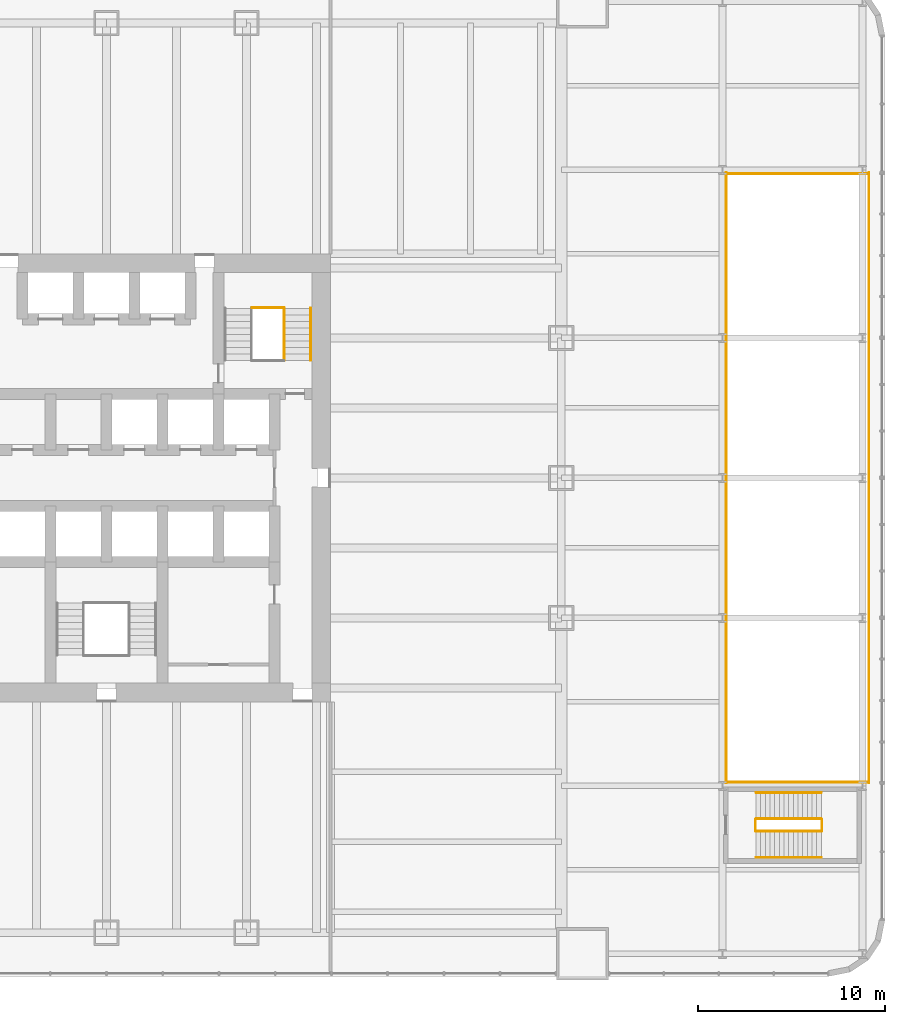
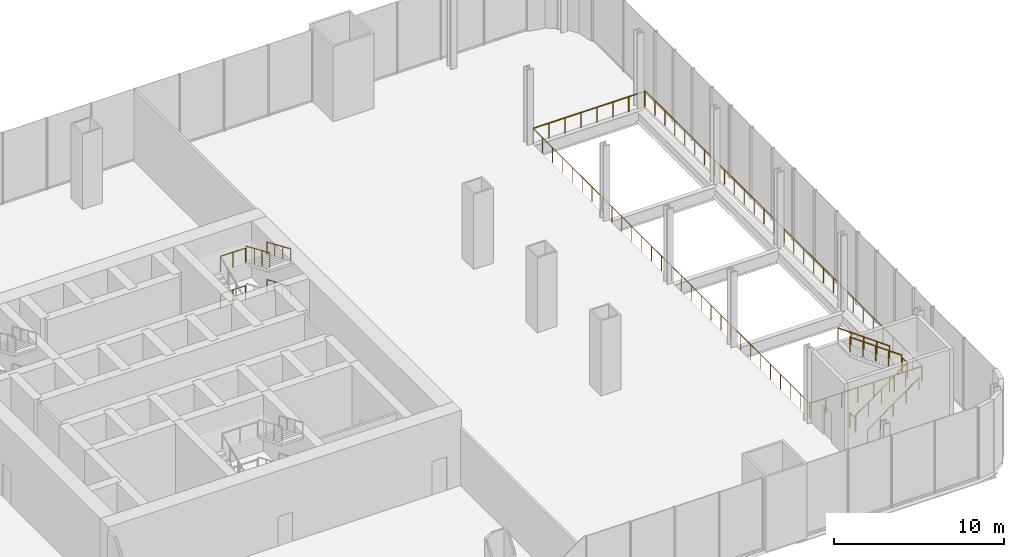
# One storey, part 16 of 16: 15 railings.
"""IFC4 building model written with IfcOpenShell, lengths in metres."""

from ifc_helpers import new_model, si_unit, direction, frame, origin, origin_2d, place, context, subcontext, project, spatial, circle, extrude, material, type_object, element, save


model = new_model("IFC4")

# Units and contexts
model_context = context("Model", 3, precision=1e-05, world=origin(), true_north=direction((0.0, 1.0)))
body_context = subcontext(model_context, "Body", "Model", "MODEL_VIEW")
ifc_project = project(units=[si_unit("LENGTHUNIT", "METRE"), si_unit("AREAUNIT", "SQUARE_METRE"), si_unit("VOLUMEUNIT", "CUBIC_METRE"), si_unit("PLANEANGLEUNIT", "RADIAN"), si_unit("MASSUNIT", "GRAM", prefix="KILO")], contexts=[model_context])

# Site, building, storey
site_placement = place(None, origin())
site = spatial("IfcSite", under=ifc_project, at=site_placement, CompositionType="ELEMENT")
building_placement = place(site_placement, origin())
building = spatial("IfcBuilding", under=site, at=building_placement, Name="Tarangal Relay Tower", CompositionType="ELEMENT")
storey_placement = place(building_placement, frame((0.0, 0.0, 7.199951171875)))
storey = spatial("IfcBuildingStorey", under=building, at=storey_placement, Name="L01", CompositionType="ELEMENT", Elevation=7.199951171875)

# Railings
ifc_material_1 = material(Name="Black steel guard with glass infill", Category="steel")
railing_type_1 = type_object("IfcRailingType", Name="Atrium guard 1100", PredefinedType="GUARDRAIL", material=ifc_material_1)
railing_1_placement = place(storey_placement, frame((40.85009765625, -16.35009765625, 0.0)))
element("IfcRailing", 1, at=railing_1_placement, inside=storey, type_object=railing_type_1, Name="Atrium guard GR3 L01", PredefinedType="GUARDRAIL", context=body_context, shape_type="SweptSolid", body=[
    extrude(circle(Radius=0.02392578125, at=origin_2d()), frame((0.0, 0.0, 1.076171875), z_axis=(0.0, 1.0, 0.0), x_axis=(-1.0, 0.0, 0.0)), (0.0, 0.0, 1.0), 32.7001953125),
    extrude(circle(Radius=0.02099609375, at=origin_2d()), origin(), (0.0, 0.0, 1.0), 1.052001953125),
    extrude(circle(Radius=0.02099609375, at=origin_2d()), frame((0.0, 1.16796875, 0.0)), (0.0, 0.0, 1.0), 1.052001953125),
    extrude(circle(Radius=0.02099609375, at=origin_2d()), frame((0.0, 2.335693359375, 0.0)), (0.0, 0.0, 1.0), 1.052001953125),
    extrude(circle(Radius=0.02099609375, at=origin_2d()), frame((0.0, 3.503662109375, 0.0)), (0.0, 0.0, 1.0), 1.052001953125),
    extrude(circle(Radius=0.02099609375, at=origin_2d()), frame((0.0, 4.67138671875, 0.0)), (0.0, 0.0, 1.0), 1.052001953125),
    extrude(circle(Radius=0.02099609375, at=origin_2d()), frame((0.0, 5.83935546875, 0.0)), (0.0, 0.0, 1.0), 1.052001953125),
    extrude(circle(Radius=0.02099609375, at=origin_2d()), frame((0.0, 7.007080078125, 0.0)), (0.0, 0.0, 1.0), 1.052001953125),
    extrude(circle(Radius=0.02099609375, at=origin_2d()), frame((0.0, 8.175048828125, 0.0)), (0.0, 0.0, 1.0), 1.052001953125),
    extrude(circle(Radius=0.02099609375, at=origin_2d()), frame((0.0, 9.343017578125, 0.0)), (0.0, 0.0, 1.0), 1.052001953125),
    extrude(circle(Radius=0.02099609375, at=origin_2d()), frame((0.0, 10.5107421875, 0.0)), (0.0, 0.0, 1.0), 1.052001953125),
    extrude(circle(Radius=0.02099609375, at=origin_2d()), frame((0.0, 11.6787109375, 0.0)), (0.0, 0.0, 1.0), 1.052001953125),
    extrude(circle(Radius=0.02099609375, at=origin_2d()), frame((0.0, 12.846435546875, 0.0)), (0.0, 0.0, 1.0), 1.052001953125),
    extrude(circle(Radius=0.02099609375, at=origin_2d()), frame((0.0, 14.014404296875, 0.0)), (0.0, 0.0, 1.0), 1.052001953125),
    extrude(circle(Radius=0.02099609375, at=origin_2d()), frame((0.0, 15.18212890625, 0.0)), (0.0, 0.0, 1.0), 1.052001953125),
    extrude(circle(Radius=0.02099609375, at=origin_2d()), frame((0.0, 16.35009765625, 0.0)), (0.0, 0.0, 1.0), 1.052001953125),
    extrude(circle(Radius=0.02099609375, at=origin_2d()), frame((0.0, 17.51806640625, 0.0)), (0.0, 0.0, 1.0), 1.052001953125),
    extrude(circle(Radius=0.02099609375, at=origin_2d()), frame((0.0, 18.685791015625, 0.0)), (0.0, 0.0, 1.0), 1.052001953125),
    extrude(circle(Radius=0.02099609375, at=origin_2d()), frame((0.0, 19.853759765625, 0.0)), (0.0, 0.0, 1.0), 1.052001953125),
    extrude(circle(Radius=0.02099609375, at=origin_2d()), frame((0.0, 21.021484375, 0.0)), (0.0, 0.0, 1.0), 1.052001953125),
    extrude(circle(Radius=0.02099609375, at=origin_2d()), frame((0.0, 22.189453125, 0.0)), (0.0, 0.0, 1.0), 1.052001953125),
    extrude(circle(Radius=0.02099609375, at=origin_2d()), frame((0.0, 23.357177734375, 0.0)), (0.0, 0.0, 1.0), 1.052001953125),
    extrude(circle(Radius=0.02099609375, at=origin_2d()), frame((0.0, 24.525146484375, 0.0)), (0.0, 0.0, 1.0), 1.052001953125),
    extrude(circle(Radius=0.02099609375, at=origin_2d()), frame((0.0, 25.693115234375, 0.0)), (0.0, 0.0, 1.0), 1.052001953125),
    extrude(circle(Radius=0.02099609375, at=origin_2d()), frame((0.0, 26.86083984375, 0.0)), (0.0, 0.0, 1.0), 1.052001953125),
    extrude(circle(Radius=0.02099609375, at=origin_2d()), frame((0.0, 28.02880859375, 0.0)), (0.0, 0.0, 1.0), 1.052001953125),
    extrude(circle(Radius=0.02099609375, at=origin_2d()), frame((0.0, 29.196533203125, 0.0)), (0.0, 0.0, 1.0), 1.052001953125),
    extrude(circle(Radius=0.02099609375, at=origin_2d()), frame((0.0, 30.364501953125, 0.0)), (0.0, 0.0, 1.0), 1.052001953125),
    extrude(circle(Radius=0.02099609375, at=origin_2d()), frame((0.0, 31.5322265625, 0.0)), (0.0, 0.0, 1.0), 1.052001953125),
    extrude(circle(Radius=0.02099609375, at=origin_2d()), frame((0.0, 32.7001953125, 0.0)), (0.0, 0.0, 1.0), 1.052001953125),
])
railing_2_placement = place(storey_placement, frame((33.199951171875, -16.35009765625, 0.0)))
element("IfcRailing", 2, at=railing_2_placement, inside=storey, type_object=railing_type_1, Name="Atrium guard GR3 L01", PredefinedType="GUARDRAIL", context=body_context, shape_type="SweptSolid", body=[
    extrude(circle(Radius=0.02392578125, at=origin_2d()), frame((0.0, 0.0, 1.076171875), z_axis=(0.0, 1.0, 0.0), x_axis=(-1.0, 0.0, 0.0)), (0.0, 0.0, 1.0), 32.7001953125),
    extrude(circle(Radius=0.02099609375, at=origin_2d()), origin(), (0.0, 0.0, 1.0), 1.052001953125),
    extrude(circle(Radius=0.02099609375, at=origin_2d()), frame((0.0, 1.16796875, 0.0)), (0.0, 0.0, 1.0), 1.052001953125),
    extrude(circle(Radius=0.02099609375, at=origin_2d()), frame((0.0, 2.335693359375, 0.0)), (0.0, 0.0, 1.0), 1.052001953125),
    extrude(circle(Radius=0.02099609375, at=origin_2d()), frame((0.0, 3.503662109375, 0.0)), (0.0, 0.0, 1.0), 1.052001953125),
    extrude(circle(Radius=0.02099609375, at=origin_2d()), frame((0.0, 4.67138671875, 0.0)), (0.0, 0.0, 1.0), 1.052001953125),
    extrude(circle(Radius=0.02099609375, at=origin_2d()), frame((0.0, 5.83935546875, 0.0)), (0.0, 0.0, 1.0), 1.052001953125),
    extrude(circle(Radius=0.02099609375, at=origin_2d()), frame((0.0, 7.007080078125, 0.0)), (0.0, 0.0, 1.0), 1.052001953125),
    extrude(circle(Radius=0.02099609375, at=origin_2d()), frame((0.0, 8.175048828125, 0.0)), (0.0, 0.0, 1.0), 1.052001953125),
    extrude(circle(Radius=0.02099609375, at=origin_2d()), frame((0.0, 9.343017578125, 0.0)), (0.0, 0.0, 1.0), 1.052001953125),
    extrude(circle(Radius=0.02099609375, at=origin_2d()), frame((0.0, 10.5107421875, 0.0)), (0.0, 0.0, 1.0), 1.052001953125),
    extrude(circle(Radius=0.02099609375, at=origin_2d()), frame((0.0, 11.6787109375, 0.0)), (0.0, 0.0, 1.0), 1.052001953125),
    extrude(circle(Radius=0.02099609375, at=origin_2d()), frame((0.0, 12.846435546875, 0.0)), (0.0, 0.0, 1.0), 1.052001953125),
    extrude(circle(Radius=0.02099609375, at=origin_2d()), frame((0.0, 14.014404296875, 0.0)), (0.0, 0.0, 1.0), 1.052001953125),
    extrude(circle(Radius=0.02099609375, at=origin_2d()), frame((0.0, 15.18212890625, 0.0)), (0.0, 0.0, 1.0), 1.052001953125),
    extrude(circle(Radius=0.02099609375, at=origin_2d()), frame((0.0, 16.35009765625, 0.0)), (0.0, 0.0, 1.0), 1.052001953125),
    extrude(circle(Radius=0.02099609375, at=origin_2d()), frame((0.0, 17.51806640625, 0.0)), (0.0, 0.0, 1.0), 1.052001953125),
    extrude(circle(Radius=0.02099609375, at=origin_2d()), frame((0.0, 18.685791015625, 0.0)), (0.0, 0.0, 1.0), 1.052001953125),
    extrude(circle(Radius=0.02099609375, at=origin_2d()), frame((0.0, 19.853759765625, 0.0)), (0.0, 0.0, 1.0), 1.052001953125),
    extrude(circle(Radius=0.02099609375, at=origin_2d()), frame((0.0, 21.021484375, 0.0)), (0.0, 0.0, 1.0), 1.052001953125),
    extrude(circle(Radius=0.02099609375, at=origin_2d()), frame((0.0, 22.189453125, 0.0)), (0.0, 0.0, 1.0), 1.052001953125),
    extrude(circle(Radius=0.02099609375, at=origin_2d()), frame((0.0, 23.357177734375, 0.0)), (0.0, 0.0, 1.0), 1.052001953125),
    extrude(circle(Radius=0.02099609375, at=origin_2d()), frame((0.0, 24.525146484375, 0.0)), (0.0, 0.0, 1.0), 1.052001953125),
    extrude(circle(Radius=0.02099609375, at=origin_2d()), frame((0.0, 25.693115234375, 0.0)), (0.0, 0.0, 1.0), 1.052001953125),
    extrude(circle(Radius=0.02099609375, at=origin_2d()), frame((0.0, 26.86083984375, 0.0)), (0.0, 0.0, 1.0), 1.052001953125),
    extrude(circle(Radius=0.02099609375, at=origin_2d()), frame((0.0, 28.02880859375, 0.0)), (0.0, 0.0, 1.0), 1.052001953125),
    extrude(circle(Radius=0.02099609375, at=origin_2d()), frame((0.0, 29.196533203125, 0.0)), (0.0, 0.0, 1.0), 1.052001953125),
    extrude(circle(Radius=0.02099609375, at=origin_2d()), frame((0.0, 30.364501953125, 0.0)), (0.0, 0.0, 1.0), 1.052001953125),
    extrude(circle(Radius=0.02099609375, at=origin_2d()), frame((0.0, 31.5322265625, 0.0)), (0.0, 0.0, 1.0), 1.052001953125),
    extrude(circle(Radius=0.02099609375, at=origin_2d()), frame((0.0, 32.7001953125, 0.0)), (0.0, 0.0, 1.0), 1.052001953125),
])
for number, where, name in (
    (3, (33.199951171875, 16.300048828125, 0.0), "Atrium guard GR3 L01"),
    (4, (33.199951171875, -16.300048828125, 0.0), "Atrium guard GR3 L01"),
):
    element("IfcRailing", number, at=place(storey_placement, frame(where)), inside=storey, type_object=railing_type_1, Name=name, PredefinedType="GUARDRAIL", context=body_context, shape_type="SweptSolid", body=[
        extrude(circle(Radius=0.02392578125, at=origin_2d()), frame((0.0, 0.0, 1.076171875), z_axis=(1.0, 0.0, 0.0), x_axis=(0.0, 1.0, 0.0)), (0.0, 0.0, 1.0), 7.60009765625),
        extrude(circle(Radius=0.02099609375, at=origin_2d()), origin(), (0.0, 0.0, 1.0), 1.052001953125),
        extrude(circle(Radius=0.02099609375, at=origin_2d()), frame((1.085693359375, 0.0, 0.0)), (0.0, 0.0, 1.0), 1.052001953125),
        extrude(circle(Radius=0.02099609375, at=origin_2d()), frame((2.17138671875, 0.0, 0.0)), (0.0, 0.0, 1.0), 1.052001953125),
        extrude(circle(Radius=0.02099609375, at=origin_2d()), frame((3.257080078125, 0.0, 0.0)), (0.0, 0.0, 1.0), 1.052001953125),
        extrude(circle(Radius=0.02099609375, at=origin_2d()), frame((4.343017578125, 0.0, 0.0)), (0.0, 0.0, 1.0), 1.052001953125),
        extrude(circle(Radius=0.02099609375, at=origin_2d()), frame((5.4287109375, 0.0, 0.0)), (0.0, 0.0, 1.0), 1.052001953125),
        extrude(circle(Radius=0.02099609375, at=origin_2d()), frame((6.514404296875, 0.0, 0.0)), (0.0, 0.0, 1.0), 1.052001953125),
        extrude(circle(Radius=0.02099609375, at=origin_2d()), frame((7.60009765625, 0.0, 0.0)), (0.0, 0.0, 1.0), 1.052001953125),
    ])
ifc_material_2 = material(Name="Steel guard, black finish", Category="steel")
railing_type_2 = type_object("IfcRailingType", Name="Stair guard 1100", PredefinedType="GUARDRAIL", material=ifc_material_2)
railing_3_placement = place(storey_placement, frame((9.530029296875, 9.083984375, 4.199951171875)))
element("IfcRailing", 5, at=railing_3_placement, inside=storey, type_object=railing_type_2, Name="Stair ST-B guard GR1 L01 flight 4", PredefinedType="GUARDRAIL", context=body_context, shape_type="SweptSolid", body=[
    extrude(circle(Radius=0.02392578125, at=origin_2d()), frame((0.0, 0.0, 1.076171875), z_axis=(0.0, -0.918297334747, 0.395891405561), x_axis=(1.0, 0.0, 0.0)), (0.0, 0.0, 1.0), 3.03173828125),
    extrude(circle(Radius=0.02099609375, at=origin_2d()), origin(), (0.0, 0.0, 1.0), 1.052001953125),
    extrude(circle(Radius=0.02099609375, at=origin_2d()), frame((0.0, -0.927978515625, 0.400146484375)), (0.0, 0.0, 1.0), 1.052001953125),
    extrude(circle(Radius=0.02099609375, at=origin_2d()), frame((0.0, -1.85595703125, 0.800048828125)), (0.0, 0.0, 1.0), 1.052001953125),
    extrude(circle(Radius=0.02099609375, at=origin_2d()), frame((0.0, -2.783935546875, 1.2001953125)), (0.0, 0.0, 1.0), 1.052001953125),
])
for number, where, name in (
    (6, (7.800048828125, 9.114013671875, 1.35009765625), "Stair ST-B landing guard GR1 L01"),
    (7, (7.800048828125, 9.114013671875, 4.050048828125), "Stair ST-B landing guard GR1 L01"),
):
    element("IfcRailing", number, at=place(storey_placement, frame(where)), inside=storey, type_object=railing_type_2, Name=name, PredefinedType="GUARDRAIL", context=body_context, shape_type="SweptSolid", body=[
        extrude(circle(Radius=0.02392578125, at=origin_2d()), frame((0.0, 0.0, 1.076171875), z_axis=(1.0, 0.0, 0.0), x_axis=(0.0, 1.0, 0.0)), (0.0, 0.0, 1.0), 1.699951171875),
        extrude(circle(Radius=0.02099609375, at=origin_2d()), origin(), (0.0, 0.0, 1.0), 1.052001953125),
        extrude(circle(Radius=0.02099609375, at=origin_2d()), frame((0.85009765625, 0.0, 0.0)), (0.0, 0.0, 1.0), 1.052001953125),
        extrude(circle(Radius=0.02099609375, at=origin_2d()), frame((1.699951171875, 0.0, 0.0)), (0.0, 0.0, 1.0), 1.052001953125),
    ])
railing_4_placement = place(storey_placement, frame((34.800048828125, -18.929931640625, 0.179931640625)))
element("IfcRailing", 8, at=railing_4_placement, inside=storey, type_object=railing_type_2, Name="Stair ST-E guard GR1 L01 flight 1", PredefinedType="GUARDRAIL", context=body_context, shape_type="SweptSolid", body=[
    extrude(circle(Radius=0.02392578125, at=origin_2d()), frame((0.0, 0.0, 1.076171875), z_axis=(0.811532194041, 0.0, 0.584307708349), x_axis=(0.0, 1.0, 0.0)), (0.0, 0.0, 1.0), 4.312744140625),
    extrude(circle(Radius=0.02099609375, at=origin_2d()), origin(), (0.0, 0.0, 1.0), 1.052001953125),
    extrude(circle(Radius=0.02099609375, at=origin_2d()), frame((0.875, 0.0, 0.6298828125)), (0.0, 0.0, 1.0), 1.052001953125),
    extrude(circle(Radius=0.02099609375, at=origin_2d()), frame((1.75, 0.0, 1.260009765625)), (0.0, 0.0, 1.0), 1.052001953125),
    extrude(circle(Radius=0.02099609375, at=origin_2d()), frame((2.625, 0.0, 1.89013671875)), (0.0, 0.0, 1.0), 1.052001953125),
    extrude(circle(Radius=0.02099609375, at=origin_2d()), frame((3.5, 0.0, 2.52001953125)), (0.0, 0.0, 1.0), 1.052001953125),
])
railing_5_placement = place(storey_placement, frame((38.300048828125, -18.27001953125, 2.880126953125)))
element("IfcRailing", 9, at=railing_5_placement, inside=storey, type_object=railing_type_2, Name="Stair ST-E guard GR1 L01 flight 2", PredefinedType="GUARDRAIL", context=body_context, shape_type="SweptSolid", body=[
    extrude(circle(Radius=0.02392578125, at=origin_2d()), frame((0.0, 0.0, 1.076171875), z_axis=(-0.811532194041, 0.0, 0.584307708349), x_axis=(0.0, -1.0, 0.0)), (0.0, 0.0, 1.0), 4.312744140625),
    extrude(circle(Radius=0.02099609375, at=origin_2d()), origin(), (0.0, 0.0, 1.0), 1.052001953125),
    extrude(circle(Radius=0.02099609375, at=origin_2d()), frame((-0.875, 0.0, 0.6298828125)), (0.0, 0.0, 1.0), 1.052001953125),
    extrude(circle(Radius=0.02099609375, at=origin_2d()), frame((-1.75, 0.0, 1.260009765625)), (0.0, 0.0, 1.0), 1.052001953125),
    extrude(circle(Radius=0.02099609375, at=origin_2d()), frame((-2.625, 0.0, 1.89013671875)), (0.0, 0.0, 1.0), 1.052001953125),
    extrude(circle(Radius=0.02099609375, at=origin_2d()), frame((-3.5, 0.0, 2.52001953125)), (0.0, 0.0, 1.0), 1.052001953125),
])
for number, where, name in (
    (10, (34.77001953125, -18.89990234375, 0.0), "Stair ST-E landing guard GR1 L01"),
    (11, (38.330078125, -18.89990234375, 2.699951171875), "Stair ST-E landing guard GR1 L01"),
):
    element("IfcRailing", number, at=place(storey_placement, frame(where)), inside=storey, type_object=railing_type_2, Name=name, PredefinedType="GUARDRAIL", context=body_context, shape_type="SweptSolid", body=[
        extrude(circle(Radius=0.02392578125, at=origin_2d()), frame((0.0, 0.0, 1.076171875), z_axis=(0.0, 1.0, 0.0), x_axis=(-1.0, 0.0, 0.0)), (0.0, 0.0, 1.0), 0.599853515625),
        extrude(circle(Radius=0.02099609375, at=origin_2d()), origin(), (0.0, 0.0, 1.0), 1.052001953125),
        extrude(circle(Radius=0.02099609375, at=origin_2d()), frame((0.0, 0.599853515625, 0.0)), (0.0, 0.0, 1.0), 1.052001953125),
    ])
ifc_material_3 = material(Name="Steel handrail, black finish", Category="steel")
railing_type_3 = type_object("IfcRailingType", Name="Stair handrail 900", PredefinedType="HANDRAIL", material=ifc_material_3)
railing_6_placement = place(storey_placement, frame((10.93994140625, 9.083984375, 1.5)))
element("IfcRailing", 12, at=railing_6_placement, inside=storey, type_object=railing_type_3, Name="Stair ST-B handrail HR1 L01 flight 2", PredefinedType="HANDRAIL", context=body_context, shape_type="SweptSolid", body=[
    extrude(circle(Radius=0.02392578125, at=origin_2d()), frame((0.0, 0.0, 0.8759765625), z_axis=(0.0, -0.918326609968, 0.395823492765), x_axis=(1.0, 0.0, 0.0)), (0.0, 0.0, 1.0), 3.031494140625),
    extrude(circle(Radius=0.02099609375, at=origin_2d()), origin(), (0.0, 0.0, 1.0), 0.851806640625),
    extrude(circle(Radius=0.02099609375, at=origin_2d()), frame((0.0, -0.927978515625, 0.39990234375)), (0.0, 0.0, 1.0), 0.851806640625),
    extrude(circle(Radius=0.02099609375, at=origin_2d()), frame((0.0, -1.85595703125, 0.800048828125)), (0.0, 0.0, 1.0), 0.851806640625),
    extrude(circle(Radius=0.02099609375, at=origin_2d()), frame((0.0, -2.783935546875, 1.199951171875)), (0.0, 0.0, 1.0), 0.851806640625),
])
railing_7_placement = place(storey_placement, frame((10.93994140625, 9.083984375, 4.199951171875)))
element("IfcRailing", 13, at=railing_7_placement, inside=storey, type_object=railing_type_3, Name="Stair ST-B handrail HR1 L01 flight 4", PredefinedType="HANDRAIL", context=body_context, shape_type="SweptSolid", body=[
    extrude(circle(Radius=0.02392578125, at=origin_2d()), frame((0.0, 0.0, 0.8759765625), z_axis=(0.0, -0.918297334747, 0.395891405561), x_axis=(1.0, 0.0, 0.0)), (0.0, 0.0, 1.0), 3.03173828125),
    extrude(circle(Radius=0.02099609375, at=origin_2d()), origin(), (0.0, 0.0, 1.0), 0.851806640625),
    extrude(circle(Radius=0.02099609375, at=origin_2d()), frame((0.0, -0.927978515625, 0.400146484375)), (0.0, 0.0, 1.0), 0.851806640625),
    extrude(circle(Radius=0.02099609375, at=origin_2d()), frame((0.0, -1.85595703125, 0.800048828125)), (0.0, 0.0, 1.0), 0.851806640625),
    extrude(circle(Radius=0.02099609375, at=origin_2d()), frame((0.0, -2.783935546875, 1.2001953125)), (0.0, 0.0, 1.0), 0.851806640625),
])
railing_8_placement = place(storey_placement, frame((34.800048828125, -20.340087890625, 0.179931640625)))
element("IfcRailing", 14, at=railing_8_placement, inside=storey, type_object=railing_type_3, Name="Stair ST-E handrail HR1 L01 flight 1", PredefinedType="HANDRAIL", context=body_context, shape_type="SweptSolid", body=[
    extrude(circle(Radius=0.02392578125, at=origin_2d()), frame((0.0, 0.0, 0.8759765625), z_axis=(0.811532194041, 0.0, 0.584307708349), x_axis=(0.0, 1.0, 0.0)), (0.0, 0.0, 1.0), 4.312744140625),
    extrude(circle(Radius=0.02099609375, at=origin_2d()), origin(), (0.0, 0.0, 1.0), 0.851806640625),
    extrude(circle(Radius=0.02099609375, at=origin_2d()), frame((0.875, 0.0, 0.6298828125)), (0.0, 0.0, 1.0), 0.851806640625),
    extrude(circle(Radius=0.02099609375, at=origin_2d()), frame((1.75, 0.0, 1.260009765625)), (0.0, 0.0, 1.0), 0.851806640625),
    extrude(circle(Radius=0.02099609375, at=origin_2d()), frame((2.625, 0.0, 1.89013671875)), (0.0, 0.0, 1.0), 0.851806640625),
    extrude(circle(Radius=0.02099609375, at=origin_2d()), frame((3.5, 0.0, 2.52001953125)), (0.0, 0.0, 1.0), 0.851806640625),
])
railing_9_placement = place(storey_placement, frame((38.300048828125, -16.860107421875, 2.880126953125)))
element("IfcRailing", 15, at=railing_9_placement, inside=storey, type_object=railing_type_3, Name="Stair ST-E handrail HR1 L01 flight 2", PredefinedType="HANDRAIL", context=body_context, shape_type="SweptSolid", body=[
    extrude(circle(Radius=0.02392578125, at=origin_2d()), frame((0.0, 0.0, 0.8759765625), z_axis=(-0.811532194041, 0.0, 0.584307708349), x_axis=(0.0, -1.0, 0.0)), (0.0, 0.0, 1.0), 4.312744140625),
    extrude(circle(Radius=0.02099609375, at=origin_2d()), origin(), (0.0, 0.0, 1.0), 0.851806640625),
    extrude(circle(Radius=0.02099609375, at=origin_2d()), frame((-0.875, 0.0, 0.6298828125)), (0.0, 0.0, 1.0), 0.851806640625),
    extrude(circle(Radius=0.02099609375, at=origin_2d()), frame((-1.75, 0.0, 1.260009765625)), (0.0, 0.0, 1.0), 0.851806640625),
    extrude(circle(Radius=0.02099609375, at=origin_2d()), frame((-2.625, 0.0, 1.89013671875)), (0.0, 0.0, 1.0), 0.851806640625),
    extrude(circle(Radius=0.02099609375, at=origin_2d()), frame((-3.5, 0.0, 2.52001953125)), (0.0, 0.0, 1.0), 0.851806640625),
])

save(model, "model.ifc")
